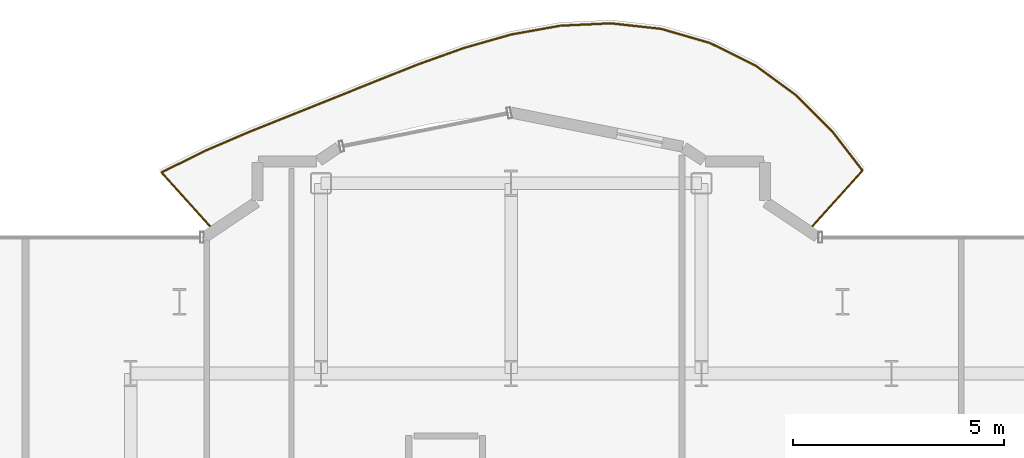
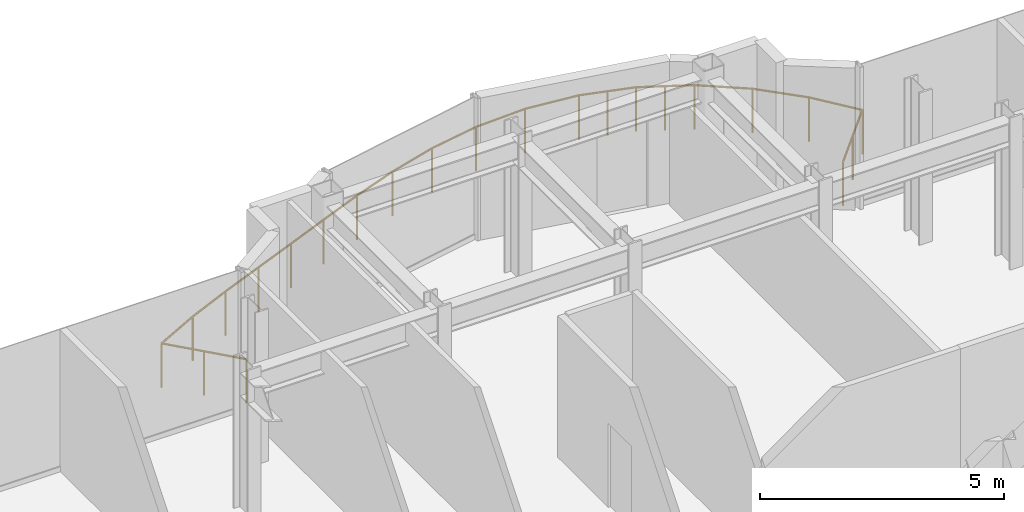
# One storey, part 18 of 18: 1 railing.
"""IFC4 building model written with IfcOpenShell, lengths in metres."""

import ifcopenshell
import ifcopenshell.guid

model = None  # the IFC model being written
_history = None  # IfcOwnerHistory: only IFC2X3 demands one
_inside = {}  # id of a spatial element -> (the spatial element, [elements in it])
_under = {}  # id of a project, library or spatial element -> (it, [spatial elements below it])
_declared = {}  # id of a project -> (the project, [libraries it declares])
_typed = {}  # id of a type object -> (the type object, [elements of that type])
_made_of = {}  # id of a material, layer set ... -> (it, [elements and type objects made of it])


def new_model(schema):
    """Start an empty IFC model of exactly this schema.

    Asked for "IFC4X3", IfcOpenShell would pick the latest addendum, in which some entities
    have other attributes; the version numbers below select the first issue.
    IFC2X3 requires an IfcOwnerHistory on every rooted entity: one is made here for all.
    """
    global model, _history
    if schema == "IFC4X3":
        model = ifcopenshell.file(schema_version=(4, 3, 0, 0))
    else:
        model = ifcopenshell.file(schema=schema)
    _inside.clear()
    _under.clear()
    _declared.clear()
    _typed.clear()
    _made_of.clear()
    _history = None
    if model.schema == "IFC2X3":
        org = make("IfcOrganization", Name="unknown")
        user = make(
            "IfcPersonAndOrganization",
            ThePerson=make("IfcPerson", FamilyName="unknown"),
            TheOrganization=org,
        )
        app = make(
            "IfcApplication",
            ApplicationDeveloper=org,
            Version="unknown",
            ApplicationFullName="unknown",
            ApplicationIdentifier="unknown",
        )
        _history = make(
            "IfcOwnerHistory",
            OwningUser=user,
            OwningApplication=app,
            ChangeAction="ADDED",
            CreationDate=0,
        )
    return model


def make(cls, **values):
    """One entity of the class cls with the attributes given. An attribute that is None is left unset."""
    return model.create_entity(
        cls, **{name: value for name, value in values.items() if value is not None}
    )


def rooted(cls, **values):
    """An entity with a GlobalId (a new one), such as an element, a storey or a relation."""
    return make(cls, GlobalId=ifcopenshell.guid.new(), OwnerHistory=_history, **values)


def si_unit(unit_type, name, prefix=None):
    """IfcSIUnit, for example si_unit("LENGTHUNIT", "METRE", prefix="MILLI")."""
    return make("IfcSIUnit", UnitType=unit_type, Prefix=prefix, Name=name)


def assignment(units):
    """IfcUnitAssignment: the units of a project."""
    return None if units is None else make("IfcUnitAssignment", Units=units)


def point(xyz):
    """IfcCartesianPoint."""
    return None if xyz is None else make("IfcCartesianPoint", Coordinates=xyz)


def direction(xyz):
    """IfcDirection."""
    return None if xyz is None else make("IfcDirection", DirectionRatios=xyz)


def frame(location, z_axis=None, x_axis=None):
    """IfcAxis2Placement3D, a coordinate frame: its origin and axes. An axis left out is left unset."""
    return make(
        "IfcAxis2Placement3D",
        Location=point(location),
        Axis=direction(z_axis),
        RefDirection=direction(x_axis),
    )


def frame_2d(location, x_axis=None):
    """IfcAxis2Placement2D, a coordinate frame in the plane: its origin and x axis."""
    return make(
        "IfcAxis2Placement2D", Location=point(location), RefDirection=direction(x_axis)
    )


def origin():
    """The frame at (0, 0, 0) with its axes left unset."""
    return frame((0.0, 0.0, 0.0))


def origin_2d():
    """The frame at (0, 0) in the plane with its x axis left unset."""
    return frame_2d((0.0, 0.0))


def place(relative_to, where):
    """IfcLocalPlacement: puts the frame where relative to a parent placement (None: the world)."""
    return make(
        "IfcLocalPlacement", PlacementRelTo=relative_to, RelativePlacement=where
    )


def context(
    kind, dimensions, precision=None, world=None, true_north=None, identifier=None
):
    """IfcGeometricRepresentationContext, for example the 3D "Model" context."""
    return make(
        "IfcGeometricRepresentationContext",
        ContextIdentifier=identifier,
        ContextType=kind,
        CoordinateSpaceDimension=dimensions,
        Precision=precision,
        WorldCoordinateSystem=world,
        TrueNorth=true_north,
    )


def subcontext(parent, identifier, kind, view, scale=None):
    """IfcGeometricRepresentationSubContext, for example "Body" below "Model"."""
    return make(
        "IfcGeometricRepresentationSubContext",
        ContextIdentifier=identifier,
        ContextType=kind,
        ParentContext=parent,
        TargetScale=scale,
        TargetView=view,
    )


def project(units=None, contexts=None):
    """IfcProject with its units and contexts."""
    return rooted(
        "IfcProject",
        Name="project",
        RepresentationContexts=contexts,
        UnitsInContext=assignment(units),
    )


def spatial(cls, under=None, at=None, **own):
    """A site, building, storey or space (cls), placed at a placement, below another one or the project."""
    s = rooted(cls, ObjectPlacement=at, **own)
    if under is not None:
        _under.setdefault(under.id(), (under, []))[1].append(s)
    return s


def profile(cls, at=None, kind="AREA", **sizes):
    """A parametric profile (cls). Its sizes go by their IFC names, for example OverallWidth=200.0."""
    return make(cls, ProfileType=kind, Position=at, **sizes)


def circle(**sizes):
    """IfcCircleProfileDef."""
    return profile("IfcCircleProfileDef", **sizes)


def extrude(swept, where, along, depth):
    """IfcExtrudedAreaSolid: the profile swept, set in the frame where, extruded along a direction by depth."""
    return make(
        "IfcExtrudedAreaSolid",
        SweptArea=swept,
        Position=where,
        ExtrudedDirection=direction(along),
        Depth=depth,
    )


def shape(context_of_items, identifier, shape_type, items):
    """IfcShapeRepresentation: the items that make up one representation, for example the "Body"."""
    return make(
        "IfcShapeRepresentation",
        ContextOfItems=context_of_items,
        RepresentationIdentifier=identifier,
        RepresentationType=shape_type,
        Items=items,
    )


def material(Name=None, Category=None):
    """IfcMaterial."""
    return make("IfcMaterial", Name=Name, Category=Category)


def made_of(thing, what):
    """Note that an element or type object is made of a material, layer set ...; save() writes the relation."""
    if what is not None:
        _made_of.setdefault(what.id(), (what, []))[1].append(thing)
    return thing


def type_object(cls, material=None, **own):
    """A type object (cls), such as IfcWallType, which elements share."""
    return made_of(rooted(cls, **own), material)


def element(
    cls,
    number,
    at=None,
    inside=None,
    cuts=None,
    type_object=None,
    material=None,
    context=None,
    identifier="Body",
    shape_type=None,
    held_by="IfcProductDefinitionShape",
    body=None,
    shapes=None,
    **own,
):
    """One element of the class cls, such as IfcWall. Its Tag is "e" and its number.

    at: its placement. inside: the storey or other place that contains it. cuts: it is an
    opening in that element (IfcRelVoidsElement). A single representation is given by context,
    identifier, shape_type and body (its items); several are given by shapes. held_by: the class
    of the entity that holds the representations. save() writes the other relations.
    """
    e = rooted(cls, Tag="e%d" % number, ObjectPlacement=at, **own)
    if body is not None:
        shapes = [shape(context, identifier, shape_type, body)]
    if shapes is not None:
        e.Representation = make(held_by, Representations=shapes)
    if inside is not None:
        _inside.setdefault(inside.id(), (inside, []))[1].append(e)
    if cuts is not None:
        rooted(
            "IfcRelVoidsElement", RelatingBuildingElement=cuts, RelatedOpeningElement=e
        )
    if type_object is not None:
        _typed.setdefault(type_object.id(), (type_object, []))[1].append(e)
    return made_of(e, material)


def aggregate(whole, parts):
    """IfcRelAggregates: a whole, such as a stair, and the parts it consists of."""
    return rooted("IfcRelAggregates", RelatingObject=whole, RelatedObjects=parts)


def save(model, path):
    """Write the relations noted so far, then the file.

    IfcRelAggregates (storeys below a building ...), IfcRelContainedInSpatialStructure (elements
    in a storey), IfcRelDefinesByType, IfcRelAssociatesMaterial and IfcRelDeclares: one each for
    every whole, place, type object, material and project.
    """
    for whole, parts in _under.values():
        aggregate(whole, parts)
    for where, things in _inside.values():
        rooted(
            "IfcRelContainedInSpatialStructure",
            RelatedElements=things,
            RelatingStructure=where,
        )
    for kind, things in _typed.values():
        rooted("IfcRelDefinesByType", RelatedObjects=things, RelatingType=kind)
    for what, things in _made_of.values():
        rooted("IfcRelAssociatesMaterial", RelatedObjects=things, RelatingMaterial=what)
    for by, libraries in _declared.values():
        rooted("IfcRelDeclares", RelatingContext=by, RelatedDefinitions=libraries)
    model.write(path)


model = new_model("IFC4")

# Units and contexts
model_context = context("Model", 3, precision=1e-05, world=origin(), true_north=direction((0.0, 1.0)))
body_context = subcontext(model_context, "Body", "Model", "MODEL_VIEW")
ifc_project = project(units=[si_unit("LENGTHUNIT", "METRE"), si_unit("AREAUNIT", "SQUARE_METRE"), si_unit("VOLUMEUNIT", "CUBIC_METRE"), si_unit("PLANEANGLEUNIT", "RADIAN"), si_unit("MASSUNIT", "GRAM", prefix="KILO")], contexts=[model_context])

# Site, building, storey
site_placement = place(None, origin())
site = spatial("IfcSite", under=ifc_project, at=site_placement, CompositionType="ELEMENT")
building_placement = place(site_placement, origin())
building = spatial("IfcBuilding", under=site, at=building_placement, Name="Nefas-Gora Pilgrimage Tower", CompositionType="ELEMENT")
storey_placement = place(building_placement, frame((0.0, 0.0, 298.800048828125)))
storey = spatial("IfcBuildingStorey", under=building, at=storey_placement, Name="L75", CompositionType="ELEMENT", Elevation=298.800048828125)

# Railing
ifc_material = material(Name="Laminated safety glass and stainless steel", Category="steel")
railing_type = type_object("IfcRailingType", Name="RLG-BAL-1100", PredefinedType="BALUSTRADE", material=ifc_material)
railing_placement = place(storey_placement, frame((4.802490234375, 21.402587890625, 0.0)))
element("IfcRailing", 1, at=railing_placement, inside=storey, type_object=railing_type, Name="L75 Wave Balcony Balustrade N1", PredefinedType="BALUSTRADE", context=body_context, shape_type="SweptSolid", body=[
    extrude(circle(Radius=0.02392578125, at=origin_2d()), frame((0.0, 0.0, 1.09619140625), z_axis=(0.669129721026, 0.743145622634, 0.0), x_axis=(-0.743145622634, 0.669129721026, 0.0)), (0.0, 0.0, 1.0), 1.880126953125),
    extrude(circle(Radius=0.02392578125, at=origin_2d()), frame((1.258056640625, 1.397216796875, 1.09619140625), z_axis=(-0.611200063939, 0.791476141044, 0.0), x_axis=(-0.791476141044, -0.611200063939, 0.0)), (0.0, 0.0, 1.0), 1.179443359375),
    extrude(circle(Radius=0.02392578125, at=origin_2d()), frame((0.537109375, 2.330810546875, 1.09619140625), z_axis=(-0.707209030738, 0.707004516848, 0.0), x_axis=(-0.707004516848, -0.707209030738, 0.0)), (0.0, 0.0, 1.0), 1.19384765625),
    extrude(circle(Radius=0.02392578125, at=origin_2d()), frame((-0.30712890625, 3.1748046875, 1.09619140625), z_axis=(-0.807148617314, 0.590348295135, 0.0), x_axis=(-0.590348295135, -0.807148617314, 0.0)), (0.0, 0.0, 1.0), 1.19921875),
    extrude(circle(Radius=0.02392578125, at=origin_2d()), frame((-1.275146484375, 3.8828125, 1.09619140625), z_axis=(-0.896048232133, 0.443956716011, 0.0), x_axis=(-0.443956716011, -0.896048232133, 0.0)), (0.0, 0.0, 1.0), 1.200439453125),
    extrude(circle(Radius=0.02392578125, at=origin_2d()), frame((-2.350830078125, 4.415771484375, 1.09619140625), z_axis=(-0.960465578019, 0.278398766951, 0.0), x_axis=(-0.278398766951, -0.960465578019, 0.0)), (0.0, 0.0, 1.0), 1.200439453125),
    extrude(circle(Radius=0.02392578125, at=origin_2d()), frame((-3.50390625, 4.75, 1.09619140625), z_axis=(-0.994009663553, 0.109292217307, 0.0), x_axis=(-0.109292217307, -0.994009663553, 0.0)), (0.0, 0.0, 1.0), 1.199462890625),
    extrude(circle(Radius=0.02392578125, at=origin_2d()), frame((-4.6962890625, 4.881103515625, 1.09619140625), z_axis=(-0.998903921138, -0.046807652535, 0.0), x_axis=(0.046807652535, -0.998903921138, 0.0)), (0.0, 0.0, 1.0), 1.1943359375),
    extrude(circle(Radius=0.02392578125, at=origin_2d()), frame((-5.889404296875, 4.8251953125, 1.09619140625), z_axis=(-0.984273970402, -0.176648665973, 0.0), x_axis=(0.176648665973, -0.984273970402, 0.0)), (0.0, 0.0, 1.0), 1.181640625),
    extrude(circle(Radius=0.02392578125, at=origin_2d()), frame((-7.052490234375, 4.616455078125, 1.09619140625), z_axis=(-0.961722400744, -0.274025589875, 0.0), x_axis=(0.274025589875, -0.961722400744, 0.0)), (0.0, 0.0, 1.0), 1.1591796875),
    extrude(circle(Radius=0.02392578125, at=origin_2d()), frame((-8.167236328125, 4.298828125, 1.09619140625), z_axis=(-0.941629347278, -0.336651410726, 0.0), x_axis=(0.336651410726, -0.941629347278, 0.0)), (0.0, 0.0, 1.0), 1.129150390625),
    extrude(circle(Radius=0.02392578125, at=origin_2d()), frame((-9.23046875, 3.918701171875, 1.09619140625), z_axis=(-0.929909498538, -0.367788423592, 0.0), x_axis=(0.367788423592, -0.929909498538, 0.0)), (0.0, 0.0, 1.0), 1.099365234375),
    extrude(circle(Radius=0.02392578125, at=origin_2d()), frame((-10.252685546875, 3.514404296875, 1.09619140625), z_axis=(-0.927160236692, -0.374665044403, 0.0), x_axis=(0.374665044403, -0.927160236692, 0.0)), (0.0, 0.0, 1.0), 1.0791015625),
    extrude(circle(Radius=0.02392578125, at=origin_2d()), frame((-11.253173828125, 3.110107421875, 1.09619140625), z_axis=(-0.928883068163, -0.370373116844, 0.0), x_axis=(0.370373116844, -0.928883068163, 0.0)), (0.0, 0.0, 1.0), 1.07568359375),
    extrude(circle(Radius=0.02392578125, at=origin_2d()), frame((-12.25244140625, 2.711669921875, 1.09619140625), z_axis=(-0.928183190328, -0.372123588601, 0.0), x_axis=(0.372123588601, -0.928183190328, 0.0)), (0.0, 0.0, 1.0), 1.091064453125),
    extrude(circle(Radius=0.02392578125, at=origin_2d()), frame((-13.26513671875, 2.3056640625, 1.09619140625), z_axis=(-0.919111174096, -0.393998286356, 0.0), x_axis=(0.393998286356, -0.919111174096, 0.0)), (0.0, 0.0, 1.0), 1.119140625),
    extrude(circle(Radius=0.02392578125, at=origin_2d()), frame((-14.293701171875, 1.86474609375, 1.09619140625), z_axis=(-0.895992473093, -0.444069238026, 0.0), x_axis=(0.444069238026, -0.895992473093, 0.0)), (0.0, 0.0, 1.0), 1.150146484375),
    extrude(circle(Radius=0.02392578125, at=origin_2d()), frame((-15.32421875, 1.35400390625, 1.09619140625), z_axis=(0.669157184217, -0.743120893806, 0.0), x_axis=(0.743120893806, 0.669157184217, 0.0)), (0.0, 0.0, 1.0), 1.822021484375),
    extrude(circle(Radius=0.02099609375, at=origin_2d()), origin(), (0.0, 0.0, 1.0), 1.072021484375),
    extrude(circle(Radius=0.02099609375, at=origin_2d()), frame((0.62890625, 0.69873046875, 0.0)), (0.0, 0.0, 1.0), 1.072021484375),
    extrude(circle(Radius=0.02099609375, at=origin_2d()), frame((1.258056640625, 1.397216796875, 0.0)), (0.0, 0.0, 1.0), 1.072021484375),
    extrude(circle(Radius=0.02099609375, at=origin_2d()), frame((0.537109375, 2.330810546875, 0.0)), (0.0, 0.0, 1.0), 1.072021484375),
    extrude(circle(Radius=0.02099609375, at=origin_2d()), frame((-0.30712890625, 3.1748046875, 0.0)), (0.0, 0.0, 1.0), 1.072021484375),
    extrude(circle(Radius=0.02099609375, at=origin_2d()), frame((-1.275146484375, 3.8828125, 0.0)), (0.0, 0.0, 1.0), 1.072021484375),
    extrude(circle(Radius=0.02099609375, at=origin_2d()), frame((-1.81298828125, 4.1494140625, 0.0)), (0.0, 0.0, 1.0), 1.072021484375),
    extrude(circle(Radius=0.02099609375, at=origin_2d()), frame((-2.350830078125, 4.415771484375, 0.0)), (0.0, 0.0, 1.0), 1.072021484375),
    extrude(circle(Radius=0.02099609375, at=origin_2d()), frame((-2.92724609375, 4.5830078125, 0.0)), (0.0, 0.0, 1.0), 1.072021484375),
    extrude(circle(Radius=0.02099609375, at=origin_2d()), frame((-3.50390625, 4.75, 0.0)), (0.0, 0.0, 1.0), 1.072021484375),
    extrude(circle(Radius=0.02099609375, at=origin_2d()), frame((-4.6962890625, 4.881103515625, 0.0)), (0.0, 0.0, 1.0), 1.072021484375),
    extrude(circle(Radius=0.02099609375, at=origin_2d()), frame((-5.889404296875, 4.8251953125, 0.0)), (0.0, 0.0, 1.0), 1.072021484375),
    extrude(circle(Radius=0.02099609375, at=origin_2d()), frame((-7.052490234375, 4.616455078125, 0.0)), (0.0, 0.0, 1.0), 1.072021484375),
    extrude(circle(Radius=0.02099609375, at=origin_2d()), frame((-8.167236328125, 4.298828125, 0.0)), (0.0, 0.0, 1.0), 1.072021484375),
    extrude(circle(Radius=0.02099609375, at=origin_2d()), frame((-9.23046875, 3.918701171875, 0.0)), (0.0, 0.0, 1.0), 1.072021484375),
    extrude(circle(Radius=0.02099609375, at=origin_2d()), frame((-10.252685546875, 3.514404296875, 0.0)), (0.0, 0.0, 1.0), 1.072021484375),
    extrude(circle(Radius=0.02099609375, at=origin_2d()), frame((-11.253173828125, 3.110107421875, 0.0)), (0.0, 0.0, 1.0), 1.072021484375),
    extrude(circle(Radius=0.02099609375, at=origin_2d()), frame((-12.25244140625, 2.711669921875, 0.0)), (0.0, 0.0, 1.0), 1.072021484375),
    extrude(circle(Radius=0.02099609375, at=origin_2d()), frame((-13.26513671875, 2.3056640625, 0.0)), (0.0, 0.0, 1.0), 1.072021484375),
    extrude(circle(Radius=0.02099609375, at=origin_2d()), frame((-14.293701171875, 1.86474609375, 0.0)), (0.0, 0.0, 1.0), 1.072021484375),
    extrude(circle(Radius=0.02099609375, at=origin_2d()), frame((-15.32421875, 1.35400390625, 0.0)), (0.0, 0.0, 1.0), 1.072021484375),
    extrude(circle(Radius=0.02099609375, at=origin_2d()), frame((-14.714599609375, 0.677001953125, 0.0)), (0.0, 0.0, 1.0), 1.072021484375),
    extrude(circle(Radius=0.02099609375, at=origin_2d()), frame((-14.10498046875, 0.0, 0.0)), (0.0, 0.0, 1.0), 1.072021484375),
])

save(model, "model.ifc")
